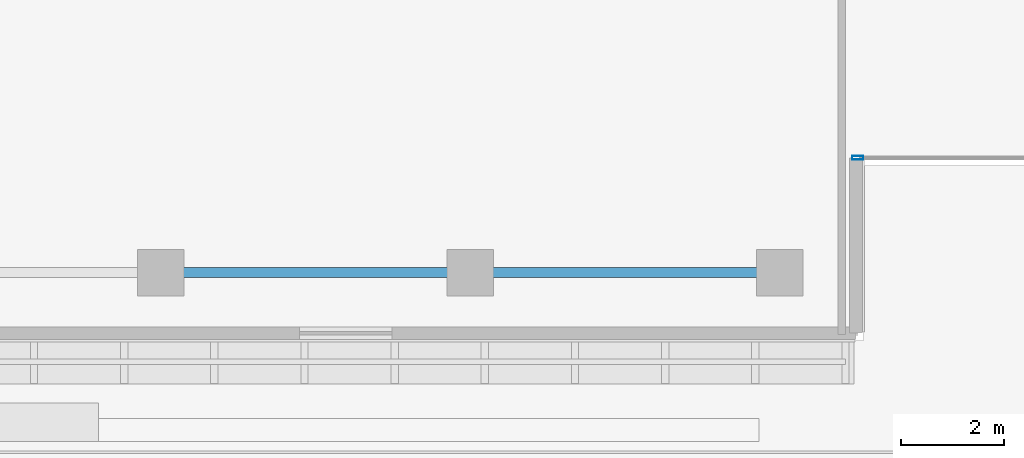
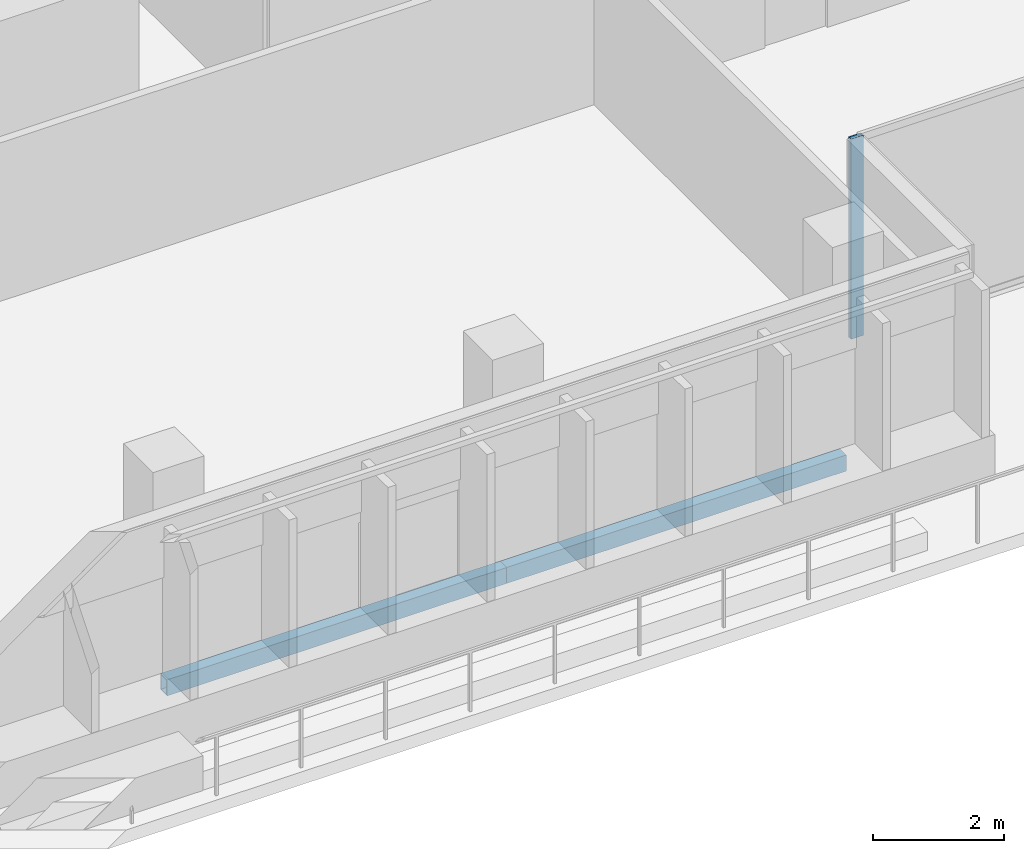
# One storey, part 3 of 30: 2 beams, 1 member, 1 element without a shape of its own.
"""IFC4 building model written with IfcOpenShell, lengths in metres."""

from ifc_helpers import new_model, si_unit, direction, frame, origin, origin_2d, place, context, subcontext, project, spatial, hollow_rectangle, extrude, material, layer, layer_set, material_profile, profile_set, type_object, element, aggregate, save


model = new_model("IFC4")

# Units and contexts
model_context = context("Model", 3, precision=1e-05, world=origin(), true_north=direction((0.0, 1.0)))
body_context = subcontext(model_context, "Body", "Model", "MODEL_VIEW")
ifc_project = project(units=[si_unit("LENGTHUNIT", "METRE"), si_unit("AREAUNIT", "SQUARE_METRE"), si_unit("VOLUMEUNIT", "CUBIC_METRE"), si_unit("PLANEANGLEUNIT", "RADIAN"), si_unit("MASSUNIT", "GRAM", prefix="KILO")], contexts=[model_context])

# Site, building, storey
site_placement = place(None, origin())
site = spatial("IfcSite", under=ifc_project, at=site_placement, CompositionType="ELEMENT")
building_placement = place(site_placement, origin())
building = spatial("IfcBuilding", under=site, at=building_placement, Name="Tanjung Sevakor Pilgrim Tower", CompositionType="ELEMENT")
storey_placement = place(building_placement, frame((0.0, 0.0, 128.0400390625)))
storey = spatial("IfcBuildingStorey", under=building, at=storey_placement, Name="L35", CompositionType="ELEMENT", Elevation=128.0400390625)

# Beams
ifc_material_1 = material(Name="Steel S355J2", Category="steel")
ifc_material_profile_1 = material_profile(ifc_material_1, hollow_rectangle(XDim=0.199951171875, YDim=0.300048828125, WallThickness=0.012451171875, at=origin_2d()))
ifc_profile_set_1 = profile_set([ifc_material_profile_1], Name="Steel S355J2")
beam_type = type_object("IfcBeamType", Name="BM-B-SP3-RHS_300x200x12.5", PredefinedType="SPANDREL", material=ifc_profile_set_1)
for number, where, z_axis, x_axis, name in (
    (1, (30.0, 13.199951171875, -0.429931640625), (1.0, 0.0, 0.0), (0.0, 1.0, 0.0), "L35 Spandrel MAIN S-03"),
    (2, (36.0, 13.199951171875, -0.429931640625), (1.0, 0.0, 0.0), (0.0, 1.0, 0.0), "L35 Spandrel MAIN S-05"),
):
    element("IfcBeam", number, at=place(storey_placement, frame(where, z_axis=z_axis, x_axis=x_axis)), inside=storey, type_object=beam_type, Name=name, PredefinedType="SPANDREL", context=body_context, shape_type="SweptSolid", body=[
        extrude(hollow_rectangle(XDim=0.199951171875, YDim=0.300048828125, WallThickness=0.012451171875, at=origin_2d()), origin(), (0.0, 0.0, 1.0), 6.0),
    ])

# Curtain wall, member
ifc_material_2 = material(Name="Aluminium 6063-T6 and Low-E Glass", Category="aluminium")
ifc_layer = layer(ifc_material_2, 0.179931640625)
ifc_layer_set = layer_set([ifc_layer], Name="CW-SYS-CLEFT")
curtain_wall_type = type_object("IfcCurtainWallType", Name="CW-SYS-CLEFT", PredefinedType="NOTDEFINED", material=ifc_layer_set)
curtain_wall_placement = place(storey_placement, origin())
curtain_wall = element("IfcCurtainWall", 3, at=curtain_wall_placement, inside=storey, type_object=curtain_wall_type, Name="L35 Curtain Wall CW-CLF-L35-2", PredefinedType="NOTDEFINED")
ifc_material_3 = material(Name="Aluminium 6063-T6", Category="aluminium")
ifc_material_profile_2 = material_profile(ifc_material_3, hollow_rectangle(XDim=0.074951171875, YDim=0.219970703125, WallThickness=0.0048828125, at=origin_2d()))
ifc_profile_set_2 = profile_set([ifc_material_profile_2], Name="Aluminium 6063-T6")
member_type = type_object("IfcMemberType", Name="TYPE-CWM-2", PredefinedType="MULLION", material=ifc_profile_set_2)
member_placement = place(storey_placement, frame((43.512451171875, 15.425048828125, 0.0), z_axis=(0.0, 0.0, 1.0), x_axis=(0.0, 1.0, 0.0)))
member = element("IfcMember", 4, at=member_placement, type_object=member_type, Name="CW-CLF mullion 1", PredefinedType="MULLION", context=body_context, shape_type="SweptSolid", body=[
    extrude(hollow_rectangle(XDim=0.074951171875, YDim=0.219970703125, WallThickness=0.0048828125, at=origin_2d()), origin(), (0.0, 0.0, 1.0), 3.739990234375),
])
aggregate(curtain_wall, [member])

save(model, "model.ifc")
